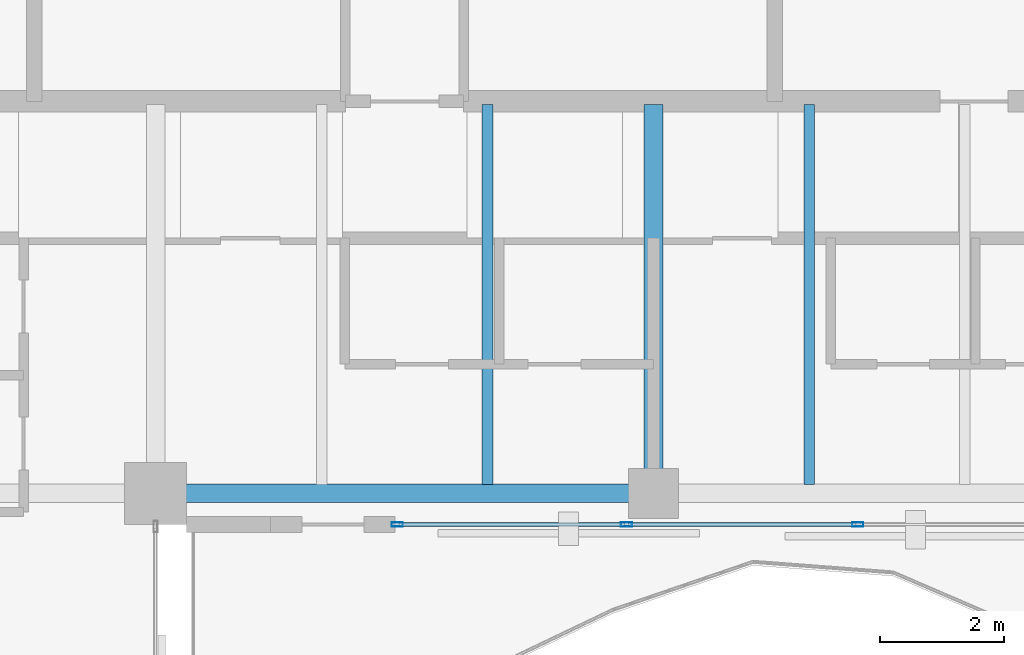
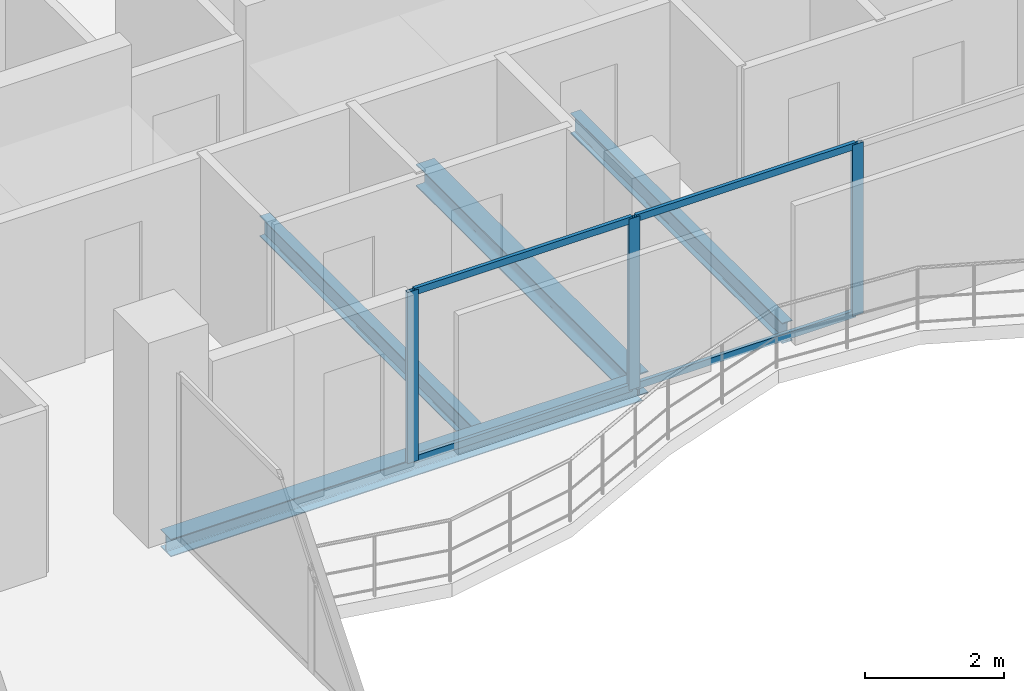
# One storey, part 11 of 24: 7 members, 4 beams, 1 element without a shape of its own.
"""IFC4 building model written with IfcOpenShell, lengths in metres."""

from ifc_helpers import new_model, si_unit, direction, frame, origin, origin_2d, place, context, subcontext, project, spatial, hollow_rectangle, i_section, extrude, material, layer, layer_set, material_profile, profile_set, type_object, element, aggregate, save


model = new_model("IFC4")

# Units and contexts
model_context = context("Model", 3, precision=1e-05, world=origin(), true_north=direction((0.0, 1.0)))
body_context = subcontext(model_context, "Body", "Model", "MODEL_VIEW")
ifc_project = project(units=[si_unit("LENGTHUNIT", "METRE"), si_unit("AREAUNIT", "SQUARE_METRE"), si_unit("VOLUMEUNIT", "CUBIC_METRE"), si_unit("PLANEANGLEUNIT", "RADIAN"), si_unit("MASSUNIT", "GRAM", prefix="KILO")], contexts=[model_context])

# Site, building, storey
site_placement = place(None, origin())
site = spatial("IfcSite", under=ifc_project, at=site_placement, CompositionType="ELEMENT")
building_placement = place(site_placement, origin())
building = spatial("IfcBuilding", under=site, at=building_placement, Name="Catumbela Crestline Tower", CompositionType="ELEMENT")
storey_placement = place(building_placement, frame((0.0, 0.0, 157.8)))
storey = spatial("IfcBuildingStorey", under=building, at=storey_placement, Name="L40", CompositionType="ELEMENT", Elevation=157.8)

# Beams
ifc_material_1 = material(Name="Structural steel S355J2", Category="steel")
ifc_material_profile_1 = material_profile(ifc_material_1, i_section(OverallWidth=0.3, OverallDepth=0.39, WebThickness=0.011, FlangeThickness=0.019, FilletRadius=0.027, at=origin_2d()), Name="HEA 400")
ifc_profile_set_1 = profile_set([ifc_material_profile_1], Name="Structural steel S355J2")
beam_type_1 = type_object("IfcBeamType", Name="BG-HEA400", PredefinedType="BEAM", material=ifc_profile_set_1)
beam_1_placement = place(storey_placement, frame((32.0, 24.58, -0.455), z_axis=(0.0, 1.0, 0.0), x_axis=(-1.0, 0.0, 0.0)))
element("IfcBeam", 1, at=beam_1_placement, inside=storey, type_object=beam_type_1, Name="L40 Beam BM-L40-SNS19", PredefinedType="BEAM", context=body_context, shape_type="SweptSolid", body=[
    extrude(i_section(OverallWidth=0.3, OverallDepth=0.39, WebThickness=0.011, FlangeThickness=0.019, FilletRadius=0.027, at=origin_2d()), origin(), (0.0, 0.0, 1.0), 6.17),
])
ifc_material_profile_2 = material_profile(ifc_material_1, i_section(OverallWidth=0.17, OverallDepth=0.36, WebThickness=0.008, FlangeThickness=0.0127, FilletRadius=0.018, at=origin_2d()), Name="IPE 360")
ifc_profile_set_2 = profile_set([ifc_material_profile_2], Name="Structural steel S355J2")
beam_type_2 = type_object("IfcBeamType", Name="BJ-IPE360", PredefinedType="JOIST", material=ifc_profile_set_2)
for number, where, z_axis, x_axis, name in (
    (2, (29.333, 24.647, -0.44), (0.0, 1.0, 0.0), (-1.0, 0.0, 0.0), "L40 Joist JS-L40-SP29"),
    (3, (34.5, 24.647, -0.44), (0.0, 1.0, 0.0), (-1.0, 0.0, 0.0), "L40 Joist JS-L40-SP30"),
):
    element("IfcBeam", number, at=place(storey_placement, frame(where, z_axis=z_axis, x_axis=x_axis)), inside=storey, type_object=beam_type_2, Name=name, PredefinedType="JOIST", context=body_context, shape_type="SweptSolid", body=[
        extrude(i_section(OverallWidth=0.17, OverallDepth=0.36, WebThickness=0.008, FlangeThickness=0.0127, FilletRadius=0.018, at=origin_2d()), origin(), (0.0, 0.0, 1.0), 6.103),
    ])

# Curtain wall, members
ifc_material_2 = material(Name="Aluminium alloy AW-6060-T66", Category="aluminium")
ifc_layer = layer(ifc_material_2, 0.18, Name="Aluminium alloy AW-6060-T66")
ifc_layer_set = layer_set([ifc_layer], Name="Aluminium alloy AW-6060-T66")
curtain_wall_type = type_object("IfcCurtainWallType", Name="CWU-Z3", PredefinedType="USERDEFINED", material=ifc_layer_set)
curtain_wall_placement = place(storey_placement, origin())
curtain_wall = element("IfcCurtainWall", 4, at=curtain_wall_placement, inside=storey, type_object=curtain_wall_type, Name="L40 Unitised Curtain Wall CW-L40-E3S2", ObjectType="UNITISED", PredefinedType="USERDEFINED")
ifc_material_profile_3 = material_profile(ifc_material_2, hollow_rectangle(XDim=0.065, YDim=0.18, WallThickness=0.004, at=origin_2d()), Name="ALU 180x65x4")
ifc_profile_set_3 = profile_set([ifc_material_profile_3], Name="Aluminium alloy AW-6060-T66")
member_type_1 = type_object("IfcMemberType", Name="MUL-180X65", PredefinedType="MULLION", material=ifc_profile_set_3)
member_1_placement = place(storey_placement, frame((27.8825, 24.0, 0.0), z_axis=(0.0, 0.0, 1.0), x_axis=(0.0, 1.0, 0.0)))
member_1 = element("IfcMember", 5, at=member_1_placement, type_object=member_type_1, Name="CWU-Z3 mullion 1", PredefinedType="MULLION", context=body_context, shape_type="SweptSolid", body=[
    extrude(hollow_rectangle(XDim=0.065, YDim=0.18, WallThickness=0.004, at=origin_2d()), origin(), (0.0, 0.0, 1.0), 3.01),
])
member_2_placement = place(storey_placement, frame((31.5667, 24.0, 0.0), z_axis=(0.0, 0.0, 1.0), x_axis=(0.0, 1.0, 0.0)))
member_2 = element("IfcMember", 6, at=member_2_placement, type_object=member_type_1, Name="CWU-Z3 mullion 2", PredefinedType="MULLION", context=body_context, shape_type="SweptSolid", body=[
    extrude(hollow_rectangle(XDim=0.065, YDim=0.18, WallThickness=0.004, at=origin_2d()), origin(), (0.0, 0.0, 1.0), 3.01),
])
member_3_placement = place(storey_placement, frame((35.2833, 24.0, 0.0), z_axis=(0.0, 0.0, 1.0), x_axis=(0.0, 1.0, 0.0)))
member_3 = element("IfcMember", 7, at=member_3_placement, type_object=member_type_1, Name="CWU-Z3 mullion 3", PredefinedType="MULLION", context=body_context, shape_type="SweptSolid", body=[
    extrude(hollow_rectangle(XDim=0.065, YDim=0.18, WallThickness=0.004, at=origin_2d()), origin(), (0.0, 0.0, 1.0), 3.01),
])

# Beam
ifc_material_profile_4 = material_profile(ifc_material_1, i_section(OverallWidth=0.3, OverallDepth=0.31, WebThickness=0.009, FlangeThickness=0.0155, FilletRadius=0.027, at=origin_2d()), Name="HEA 320")
ifc_profile_set_4 = profile_set([ifc_material_profile_4], Name="Structural steel S355J2")
beam_type_3 = type_object("IfcBeamType", Name="BS-HEA320", PredefinedType="SPANDREL", material=ifc_profile_set_4)
beam_2_placement = place(storey_placement, frame((24.08, 24.5, -0.415), z_axis=(1.0, 0.0, 0.0), x_axis=(0.0, 1.0, 0.0)))
element("IfcBeam", 8, at=beam_2_placement, inside=storey, type_object=beam_type_3, Name="L40 Spandrel SP-L40-S04", PredefinedType="SPANDREL", context=body_context, shape_type="SweptSolid", body=[
    extrude(i_section(OverallWidth=0.3, OverallDepth=0.31, WebThickness=0.009, FlangeThickness=0.0155, FilletRadius=0.027, at=origin_2d()), origin(), (0.0, 0.0, 1.0), 7.84),
])

# Member
ifc_material_profile_5 = material_profile(ifc_material_2, hollow_rectangle(XDim=0.06, YDim=0.12, WallThickness=0.0035, at=origin_2d()), Name="ALU 120x60x3.5")
ifc_profile_set_5 = profile_set([ifc_material_profile_5], Name="Aluminium alloy AW-6060-T66")
member_type_2 = type_object("IfcMemberType", Name="TRN-120X60", PredefinedType="USERDEFINED", material=ifc_profile_set_5)
member_4_placement = place(storey_placement, frame((27.915, 24.0, 0.03), z_axis=(1.0, 0.0, 0.0), x_axis=(0.0, 1.0, 0.0)))
member_4 = element("IfcMember", 9, at=member_4_placement, type_object=member_type_2, Name="CWU-Z3 transom 1.1", ObjectType="TRANSOM", PredefinedType="USERDEFINED", context=body_context, shape_type="SweptSolid", body=[
    extrude(hollow_rectangle(XDim=0.06, YDim=0.12, WallThickness=0.0035, at=origin_2d()), origin(), (0.0, 0.0, 1.0), 3.6192),
])

member_5_placement = place(storey_placement, frame((27.915, 24.0, 2.98), z_axis=(1.0, 0.0, 0.0), x_axis=(0.0, 1.0, 0.0)))
member_5 = element("IfcMember", 10, at=member_5_placement, type_object=member_type_2, Name="CWU-Z3 transom 1.2", ObjectType="TRANSOM", PredefinedType="USERDEFINED", context=body_context, shape_type="SweptSolid", body=[
    extrude(hollow_rectangle(XDim=0.06, YDim=0.12, WallThickness=0.0035, at=origin_2d()), origin(), (0.0, 0.0, 1.0), 3.6192),
])

member_6_placement = place(storey_placement, frame((31.5992, 24.0, 0.03), z_axis=(1.0, 0.0, 0.0), x_axis=(0.0, 1.0, 0.0)))
member_6 = element("IfcMember", 11, at=member_6_placement, type_object=member_type_2, Name="CWU-Z3 transom 2.1", ObjectType="TRANSOM", PredefinedType="USERDEFINED", context=body_context, shape_type="SweptSolid", body=[
    extrude(hollow_rectangle(XDim=0.06, YDim=0.12, WallThickness=0.0035, at=origin_2d()), origin(), (0.0, 0.0, 1.0), 3.6516),
])

member_7_placement = place(storey_placement, frame((31.5992, 24.0, 2.98), z_axis=(1.0, 0.0, 0.0), x_axis=(0.0, 1.0, 0.0)))
member_7 = element("IfcMember", 12, at=member_7_placement, type_object=member_type_2, Name="CWU-Z3 transom 2.2", ObjectType="TRANSOM", PredefinedType="USERDEFINED", context=body_context, shape_type="SweptSolid", body=[
    extrude(hollow_rectangle(XDim=0.06, YDim=0.12, WallThickness=0.0035, at=origin_2d()), origin(), (0.0, 0.0, 1.0), 3.6516),
])

aggregate(curtain_wall, [member_1, member_2, member_3, member_4, member_5, member_6, member_7])

save(model, "model.ifc")
